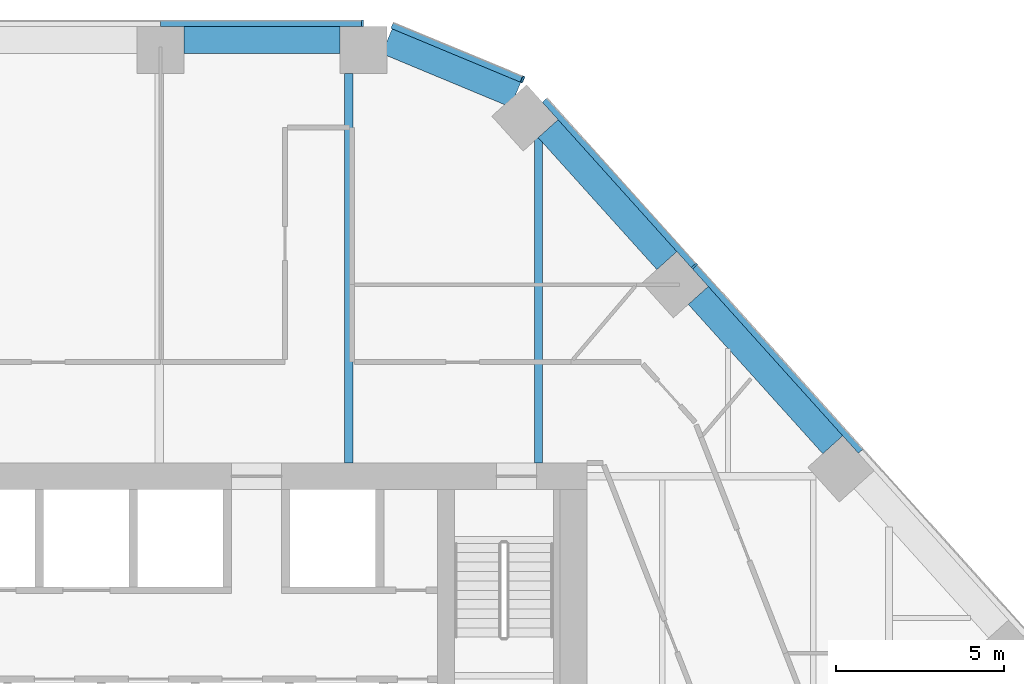
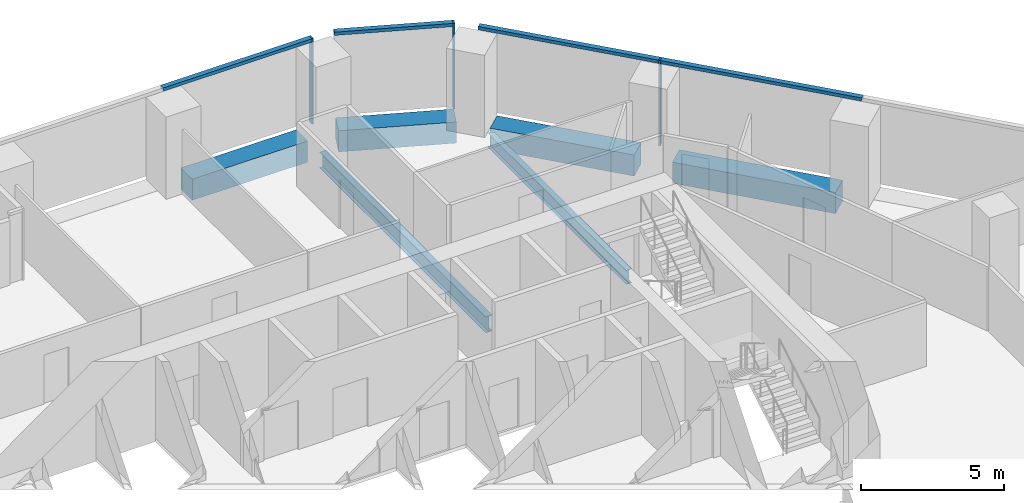
# One storey, part 11 of 26: 7 members, 6 beams, 3 elements without a shape of their own.
"""IFC4 building model written with IfcOpenShell, lengths in metres."""

from ifc_helpers import new_model, si_unit, direction, frame, origin, origin_2d, place, context, subcontext, project, spatial, rectangle, i_section, extrude, material, layer, layer_set, material_profile, profile_set, type_object, element, aggregate, save


model = new_model("IFC4")

# Units and contexts
model_context = context("Model", 3, precision=1e-05, world=origin(), true_north=direction((0.0, 1.0)))
body_context = subcontext(model_context, "Body", "Model", "MODEL_VIEW")
ifc_project = project(units=[si_unit("LENGTHUNIT", "METRE"), si_unit("AREAUNIT", "SQUARE_METRE"), si_unit("VOLUMEUNIT", "CUBIC_METRE"), si_unit("PLANEANGLEUNIT", "RADIAN"), si_unit("MASSUNIT", "GRAM", prefix="KILO")], contexts=[model_context])

# Site, building, storey
site_placement = place(None, origin())
site = spatial("IfcSite", under=ifc_project, at=site_placement, CompositionType="ELEMENT")
building_placement = place(site_placement, origin())
building = spatial("IfcBuilding", under=site, at=building_placement, Name="Isthmus Gate Tower", CompositionType="ELEMENT")
storey_placement = place(building_placement, frame((0.0, 0.0, 129.800048828125)))
storey = spatial("IfcBuildingStorey", under=building, at=storey_placement, Name="L31", CompositionType="ELEMENT", Elevation=129.800048828125)

# Curtain wall, member
ifc_material_1 = material(Name="Aluminium, pale champagne anodised", Category="aluminium")
ifc_layer = layer(ifc_material_1, 0.199951171875)
ifc_layer_set = layer_set([ifc_layer], Name="CW-1 UNITISED CURTAIN WALL 200 DEEP")
curtain_wall_type = type_object("IfcCurtainWallType", Name="CW-1 UNITISED CURTAIN WALL 200 DEEP", PredefinedType="NOTDEFINED", material=ifc_layer_set)
curtain_wall_1_placement = place(storey_placement, origin())
curtain_wall_1 = element("IfcCurtainWall", 1, at=curtain_wall_1_placement, inside=storey, type_object=curtain_wall_type, Name="CW-1 N L31", PredefinedType="NOTDEFINED")
ifc_material_2 = material(Name="Aluminium, pale champagne anodised", Category="aluminium")
ifc_material_profile_1 = material_profile(ifc_material_2, rectangle(XDim=0.06005859375, YDim=0.199951171875, at=origin_2d()), Name="60x200")
ifc_profile_set_1 = profile_set([ifc_material_profile_1], Name="Aluminium, pale champagne anodised")
member_type_1 = type_object("IfcMemberType", Name="CW-1 MULLION 60 X 200", PredefinedType="MULLION", material=ifc_profile_set_1)
member_1_placement = place(storey_placement, frame((8.30859375, 28.10009765625, 0.0), z_axis=(0.0, 0.0, 1.0), x_axis=(-1.0, 0.0, 0.0)))
member_1 = element("IfcMember", 2, at=member_1_placement, type_object=member_type_1, Name="CW-1 mullion", PredefinedType="MULLION", context=body_context, shape_type="SweptSolid", body=[
    extrude(rectangle(XDim=0.06005859375, YDim=0.199951171875, at=origin_2d()), origin(), (0.0, 0.0, 1.0), 3.64990234375),
])

curtain_wall_2_placement = place(storey_placement, origin())
curtain_wall_2 = element("IfcCurtainWall", 3, at=curtain_wall_2_placement, inside=storey, type_object=curtain_wall_type, Name="CW-1 NE L31", PredefinedType="NOTDEFINED")
member_2_placement = place(storey_placement, frame((18.201416015625, 20.865478515625, 0.0), z_axis=(0.0, 0.0, 1.0), x_axis=(-0.669130606359, 0.743144825477, 0.0)))
member_2 = element("IfcMember", 4, at=member_2_placement, type_object=member_type_1, Name="CW-1 mullion", PredefinedType="MULLION", context=body_context, shape_type="SweptSolid", body=[
    extrude(rectangle(XDim=0.06005859375, YDim=0.199951171875, at=origin_2d()), origin(), (0.0, 0.0, 1.0), 3.64990234375),
])

curtain_wall_3_placement = place(storey_placement, origin())
curtain_wall_3 = element("IfcCurtainWall", 5, at=curtain_wall_3_placement, inside=storey, type_object=curtain_wall_type, Name="CW-1 NE-N L31", PredefinedType="NOTDEFINED")
member_3_placement = place(storey_placement, frame((13.080810546875, 26.427490234375, 0.0), z_axis=(0.0, 0.0, 1.0), x_axis=(-0.923353128387, 0.383951820282, 0.0)))
member_3 = element("IfcMember", 6, at=member_3_placement, type_object=member_type_1, Name="CW-1 mullion", PredefinedType="MULLION", context=body_context, shape_type="SweptSolid", body=[
    extrude(rectangle(XDim=0.06005859375, YDim=0.199951171875, at=origin_2d()), origin(), (0.0, 0.0, 1.0), 3.64990234375),
])

# Member
ifc_material_3 = material(Name="Aluminium, pale champagne anodised", Category="aluminium")
ifc_material_profile_2 = material_profile(ifc_material_3, rectangle(XDim=0.199951171875, YDim=0.139892578125, at=origin_2d()), Name="200x140")
ifc_profile_set_2 = profile_set([ifc_material_profile_2], Name="Aluminium, pale champagne anodised")
member_type_2 = type_object("IfcMemberType", Name="CW-1 TRANSOM 200 X 140", PredefinedType="USERDEFINED", material=ifc_profile_set_2)
member_4_placement = place(storey_placement, frame((8.278564453125, 28.10009765625, 3.579833984375), z_axis=(-1.0, 0.0, 0.0), x_axis=(0.0, -1.0, 0.0)))
member_4 = element("IfcMember", 7, at=member_4_placement, type_object=member_type_2, Name="CW-1 transom", ObjectType="TRANSOM", PredefinedType="USERDEFINED", context=body_context, shape_type="SweptSolid", body=[
    extrude(rectangle(XDim=0.199951171875, YDim=0.139892578125, at=origin_2d()), origin(), (0.0, 0.0, 1.0), 5.990234375),
])

aggregate(curtain_wall_1, [member_1, member_4])

member_5_placement = place(storey_placement, frame((23.1669921875, 15.350830078125, 3.579833984375), z_axis=(-0.669141738281, 0.743134802099, 0.0), x_axis=(-0.743134802099, -0.669141738281, 0.0)))
member_5 = element("IfcMember", 8, at=member_5_placement, type_object=member_type_2, Name="CW-1 transom", ObjectType="TRANSOM", PredefinedType="USERDEFINED", context=body_context, shape_type="SweptSolid", body=[
    extrude(rectangle(XDim=0.199951171875, YDim=0.139892578125, at=origin_2d()), origin(), (0.0, 0.0, 1.0), 7.390869140625),
])

member_6_placement = place(storey_placement, frame((18.181396484375, 20.887939453125, 3.579833984375), z_axis=(-0.66913355839, 0.743142167446, 0.0), x_axis=(-0.743142167446, -0.66913355839, 0.0)))
member_6 = element("IfcMember", 9, at=member_6_placement, type_object=member_type_2, Name="CW-1 transom", ObjectType="TRANSOM", PredefinedType="USERDEFINED", context=body_context, shape_type="SweptSolid", body=[
    extrude(rectangle(XDim=0.199951171875, YDim=0.139892578125, at=origin_2d()), origin(), (0.0, 0.0, 1.0), 6.630615234375),
])

aggregate(curtain_wall_2, [member_5, member_2, member_6])

member_7_placement = place(storey_placement, frame((13.05322265625, 26.43896484375, 3.579833984375), z_axis=(-0.923358236369, 0.383939536033, 0.0), x_axis=(-0.383939536033, -0.923358236369, 0.0)))
member_7 = element("IfcMember", 10, at=member_7_placement, type_object=member_type_2, Name="CW-1 transom", ObjectType="TRANSOM", PredefinedType="USERDEFINED", context=body_context, shape_type="SweptSolid", body=[
    extrude(rectangle(XDim=0.199951171875, YDim=0.139892578125, at=origin_2d()), origin(), (0.0, 0.0, 1.0), 4.181640625),
])

aggregate(curtain_wall_3, [member_3, member_7])

# Beams
ifc_material_4 = material(Name="Concrete f'c 60 MPa", Category="concrete")
ifc_material_profile_3 = material_profile(ifc_material_4, rectangle(XDim=0.800048828125, YDim=0.89990234375, at=origin_2d()), Name="RC 800X900")
ifc_profile_set_3 = profile_set([ifc_material_profile_3], Name="Concrete f'c 60 MPa")
beam_type_1 = type_object("IfcBeamType", Name="RC SPANDREL 800 X 900", PredefinedType="SPANDREL", material=ifc_profile_set_3)
beam_1_placement = place(storey_placement, frame((9.03857421875, 27.56689453125, -0.449951171875), z_axis=(0.923342835736, -0.383976571805, 0.0), x_axis=(0.383976571805, 0.923342835736, 0.0)))
element("IfcBeam", 11, at=beam_1_placement, inside=storey, type_object=beam_type_1, Name="str-spandrel-L31-00", PredefinedType="SPANDREL", context=body_context, shape_type="SweptSolid", body=[
    extrude(rectangle(XDim=0.800048828125, YDim=0.89990234375, at=origin_2d()), origin(), (0.0, 0.0, 1.0), 4.152587890625),
])
beam_2_placement = place(storey_placement, frame((13.84130859375, 24.960693359375, -0.449951171875), z_axis=(0.669153370522, -0.743124327901, 0.0), x_axis=(0.743124327901, 0.669153370522, 0.0)))
element("IfcBeam", 12, at=beam_2_placement, inside=storey, type_object=beam_type_1, Name="str-spandrel-L31-01", PredefinedType="SPANDREL", context=body_context, shape_type="SweptSolid", body=[
    extrude(rectangle(XDim=0.800048828125, YDim=0.89990234375, at=origin_2d()), origin(), (0.0, 0.0, 1.0), 5.290771484375),
])
beam_3_placement = place(storey_placement, frame((18.318359375, 19.988525390625, -0.449951171875), z_axis=(0.669133582923, -0.743142145356, 0.0), x_axis=(0.743142145356, 0.669133582923, 0.0)))
element("IfcBeam", 13, at=beam_3_placement, inside=storey, type_object=beam_type_1, Name="str-spandrel-L31-02", PredefinedType="SPANDREL", context=body_context, shape_type="SweptSolid", body=[
    extrude(rectangle(XDim=0.800048828125, YDim=0.89990234375, at=origin_2d()), origin(), (0.0, 0.0, 1.0), 5.99072265625),
])
beam_4_placement = place(storey_placement, frame((2.988525390625, 27.60009765625, -0.449951171875), z_axis=(1.0, 0.0, 0.0), x_axis=(0.0, 1.0, 0.0)))
element("IfcBeam", 14, at=beam_4_placement, inside=storey, type_object=beam_type_1, Name="str-spandrel-L31-29", PredefinedType="SPANDREL", context=body_context, shape_type="SweptSolid", body=[
    extrude(rectangle(XDim=0.800048828125, YDim=0.89990234375, at=origin_2d()), origin(), (0.0, 0.0, 1.0), 4.650146484375),
])
ifc_material_5 = material(Name="Structural steel ASTM A992 Gr 50", Category="steel")
ifc_material_profile_4 = material_profile(ifc_material_5, i_section(OverallWidth=0.228515625, OverallDepth=0.603271484375, WebThickness=0.010986328125, FlangeThickness=0.014404296875, at=origin_2d()), Name="W24X68")
ifc_profile_set_4 = profile_set([ifc_material_profile_4], Name="Structural steel ASTM A992 Gr 50")
beam_type_2 = type_object("IfcBeamType", Name="STEEL FLOOR BEAM W24X68", PredefinedType="JOIST", material=ifc_profile_set_4)
beam_5_placement = place(storey_placement, frame((13.5537109375, 15.0, -0.45166015625), z_axis=(0.0, 1.0, 0.0), x_axis=(-1.0, 0.0, 0.0)))
element("IfcBeam", 15, at=beam_5_placement, inside=storey, type_object=beam_type_2, Name="str-beam-L31-08-06", PredefinedType="JOIST", context=body_context, shape_type="SweptSolid", body=[
    extrude(i_section(OverallWidth=0.228515625, OverallDepth=0.603271484375, WebThickness=0.010986328125, FlangeThickness=0.014404296875, at=origin_2d()), origin(), (0.0, 0.0, 1.0), 9.682373046875),
])
ifc_material_6 = material(Name="Structural steel ASTM A992 Gr 50", Category="steel")
ifc_material_profile_5 = material_profile(ifc_material_6, i_section(OverallWidth=0.25390625, OverallDepth=0.679443359375, WebThickness=0.010986328125, FlangeThickness=0.015869140625, at=origin_2d()), Name="W27X84")
ifc_profile_set_5 = profile_set([ifc_material_profile_5], Name="Structural steel ASTM A992 Gr 50")
beam_type_3 = type_object("IfcBeamType", Name="STEEL FLOOR BEAM W27X84", PredefinedType="JOIST", material=ifc_profile_set_5)
beam_6_placement = place(storey_placement, frame((7.903076171875, 15.0, -0.48974609375), z_axis=(0.0, 1.0, 0.0), x_axis=(-1.0, 0.0, 0.0)))
element("IfcBeam", 16, at=beam_6_placement, inside=storey, type_object=beam_type_3, Name="str-beam-L31-08-05", PredefinedType="JOIST", context=body_context, shape_type="SweptSolid", body=[
    extrude(i_section(OverallWidth=0.25390625, OverallDepth=0.679443359375, WebThickness=0.010986328125, FlangeThickness=0.015869140625, at=origin_2d()), origin(), (0.0, 0.0, 1.0), 11.60009765625),
])

save(model, "model.ifc")
